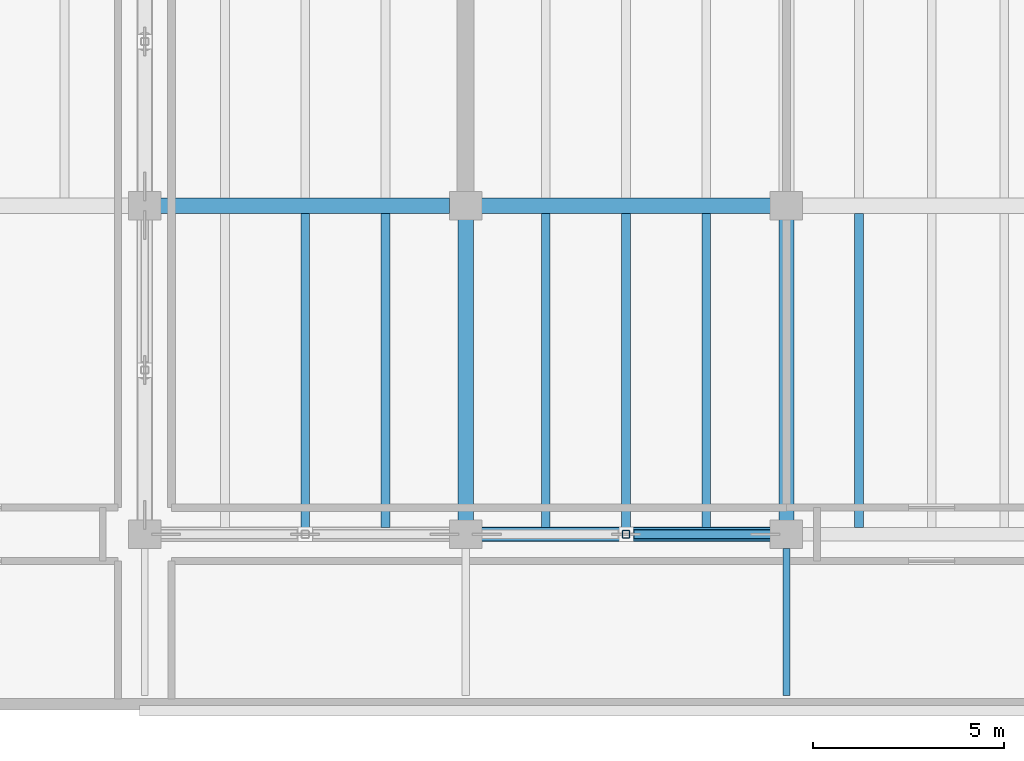
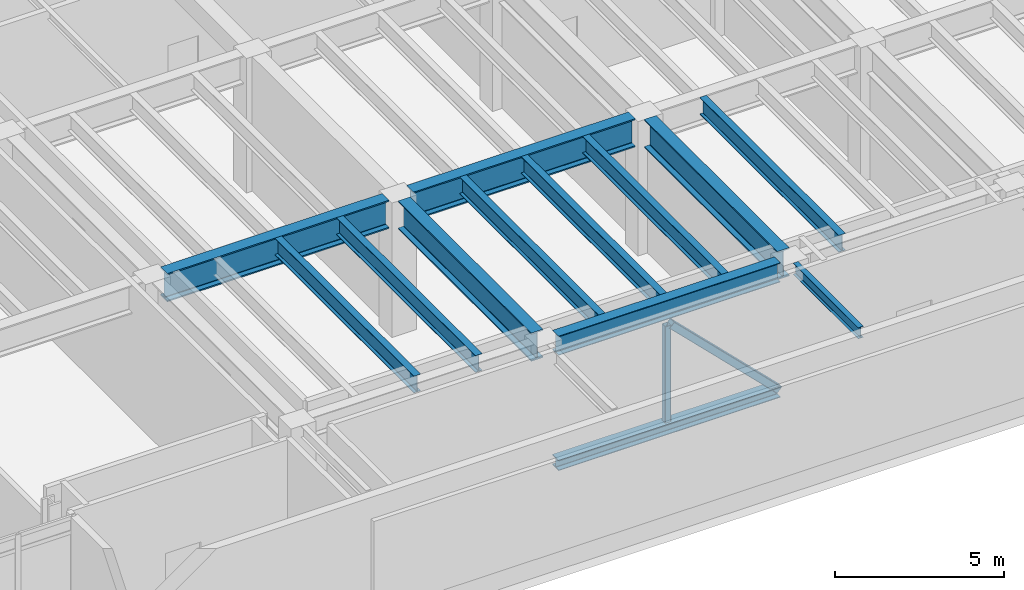
# One storey, part 3 of 23: 13 beams, 2 members.
"""IFC4 building model written with IfcOpenShell, lengths in metres."""

from ifc_helpers import new_model, si_unit, direction, frame, origin, origin_2d, place, context, subcontext, project, spatial, hollow_rectangle, i_section, extrude, material, material_profile, profile_set, type_object, element, save


model = new_model("IFC4")

# Units and contexts
model_context = context("Model", 3, precision=1e-05, world=origin(), true_north=direction((0.0, 1.0)))
body_context = subcontext(model_context, "Body", "Model", "MODEL_VIEW")
ifc_project = project(units=[si_unit("LENGTHUNIT", "METRE"), si_unit("AREAUNIT", "SQUARE_METRE"), si_unit("VOLUMEUNIT", "CUBIC_METRE"), si_unit("PLANEANGLEUNIT", "RADIAN"), si_unit("MASSUNIT", "GRAM", prefix="KILO")], contexts=[model_context])

# Site, building, storey
site_placement = place(None, origin())
site = spatial("IfcSite", under=ifc_project, at=site_placement, CompositionType="ELEMENT")
building_placement = place(site_placement, origin())
building = spatial("IfcBuilding", under=site, at=building_placement, Name="Caelmar Bay Residences", CompositionType="ELEMENT")
storey_placement = place(building_placement, frame((0.0, 0.0, 221.39990234375)))
storey = spatial("IfcBuildingStorey", under=building, at=storey_placement, Name="L62", CompositionType="ELEMENT", Elevation=221.39990234375)

# Beams
ifc_material_1 = material(Name="Steel ASTM A992 Grade 50", Category="steel")
ifc_material_profile_1 = material_profile(ifc_material_1, i_section(OverallWidth=0.177978515625, OverallDepth=0.406005859375, WebThickness=0.0078125, FlangeThickness=0.0126953125, FilletRadius=0.0087890625, at=origin_2d()), Name="W16X40")
ifc_profile_set_1 = profile_set([ifc_material_profile_1], Name="Steel ASTM A992 Grade 50")
beam_type_1 = type_object("IfcBeamType", Name="BM-BAL-W16X40", PredefinedType="JOIST", material=ifc_profile_set_1)
beam_1_placement = place(storey_placement, frame((35.10009765625, 11.8349609375, 4.63720703125), z_axis=(0.0, -1.0, 0.0), x_axis=(1.0, 0.0, 0.0)))
element("IfcBeam", 1, at=beam_1_placement, inside=storey, type_object=beam_type_1, Name="L63 South Balcony Cantilever Bracket 3", PredefinedType="JOIST", context=body_context, shape_type="SweptSolid", body=[
    extrude(i_section(OverallWidth=0.177978515625, OverallDepth=0.406005859375, WebThickness=0.0078125, FlangeThickness=0.0126953125, FilletRadius=0.0087890625, at=origin_2d()), origin(), (0.0, 0.0, 1.0), 3.849853515625),
])
ifc_material_profile_2 = material_profile(ifc_material_1, i_section(OverallWidth=0.373046875, OverallDepth=0.373046875, WebThickness=0.016357421875, FlangeThickness=0.026123046875, FilletRadius=0.01513671875, at=origin_2d()), Name="W14X132")
ifc_profile_set_2 = profile_set([ifc_material_profile_2], Name="Steel ASTM A992 Grade 50")
beam_type_2 = type_object("IfcBeamType", Name="BM-CHD-W14X132", PredefinedType="BEAM", material=ifc_profile_set_2)
beam_2_placement = place(storey_placement, frame((27.114990234375, 12.199951171875, 0.1865234375), z_axis=(1.0, 0.0, 0.0), x_axis=(0.0, 1.0, 0.0)))
element("IfcBeam", 2, at=beam_2_placement, inside=storey, type_object=beam_type_2, Name="L62 Belt-Truss Bottom Chord 2", PredefinedType="BEAM", context=body_context, shape_type="SweptSolid", body=[
    extrude(i_section(OverallWidth=0.373046875, OverallDepth=0.373046875, WebThickness=0.016357421875, FlangeThickness=0.026123046875, FilletRadius=0.01513671875, at=origin_2d()), origin(), (0.0, 0.0, 1.0), 7.570068359375),
])
ifc_material_profile_3 = material_profile(ifc_material_1, i_section(OverallWidth=0.404052734375, OverallDepth=1.02099609375, WebThickness=0.025390625, FlangeThickness=0.0458984375, FilletRadius=0.02294921875, at=origin_2d()), Name="W40X324")
ifc_profile_set_3 = profile_set([ifc_material_profile_3], Name="Steel ASTM A992 Grade 50")
beam_type_3 = type_object("IfcBeamType", Name="BM-GRD-W40X324", PredefinedType="BEAM", material=ifc_profile_set_3)
beam_3_placement = place(storey_placement, frame((18.715087890625, 20.800048828125, 4.339599609375), z_axis=(1.0, 0.0, 0.0), x_axis=(0.0, 1.0, 0.0)))
element("IfcBeam", 3, at=beam_3_placement, inside=storey, type_object=beam_type_3, Name="L62 East-West Girder Y=20.80 (18.3-26.7)", PredefinedType="BEAM", context=body_context, shape_type="SweptSolid", body=[
    extrude(i_section(OverallWidth=0.404052734375, OverallDepth=1.02099609375, WebThickness=0.025390625, FlangeThickness=0.0458984375, FilletRadius=0.02294921875, at=origin_2d()), origin(), (0.0, 0.0, 1.0), 7.56982421875),
])
beam_4_placement = place(storey_placement, frame((27.114990234375, 20.800048828125, 4.339599609375), z_axis=(1.0, 0.0, 0.0), x_axis=(0.0, 1.0, 0.0)))
element("IfcBeam", 4, at=beam_4_placement, inside=storey, type_object=beam_type_3, Name="L62 East-West Girder Y=20.80 (26.7-35.1)", PredefinedType="BEAM", context=body_context, shape_type="SweptSolid", body=[
    extrude(i_section(OverallWidth=0.404052734375, OverallDepth=1.02099609375, WebThickness=0.025390625, FlangeThickness=0.0458984375, FilletRadius=0.02294921875, at=origin_2d()), origin(), (0.0, 0.0, 1.0), 7.570068359375),
])
for number, where, z_axis, x_axis, name in (
    (5, (26.699951171875, 12.56494140625, 4.339599609375), (0.0, 1.0, 0.0), (-1.0, 0.0, 0.0), "L62 North-South Girder X=26.70 (12.2-20.8)"),
    (6, (35.10009765625, 12.56494140625, 4.339599609375), (0.0, 1.0, 0.0), (-1.0, 0.0, 0.0), "L62 North-South Girder X=35.10 (12.2-20.8)"),
):
    element("IfcBeam", number, at=place(storey_placement, frame(where, z_axis=z_axis, x_axis=x_axis)), inside=storey, type_object=beam_type_3, Name=name, PredefinedType="BEAM", context=body_context, shape_type="SweptSolid", body=[
        extrude(i_section(OverallWidth=0.404052734375, OverallDepth=1.02099609375, WebThickness=0.025390625, FlangeThickness=0.0458984375, FilletRadius=0.02294921875, at=origin_2d()), origin(), (0.0, 0.0, 1.0), 7.8701171875),
    ])
ifc_material_profile_4 = material_profile(ifc_material_1, i_section(OverallWidth=0.22900390625, OverallDepth=0.612060546875, WebThickness=0.011962890625, FlangeThickness=0.01953125, FilletRadius=0.0126953125, at=origin_2d()), Name="W24X84")
ifc_profile_set_4 = profile_set([ifc_material_profile_4], Name="Steel ASTM A992 Grade 50")
beam_type_4 = type_object("IfcBeamType", Name="BM-JST-W24X84", PredefinedType="JOIST", material=ifc_profile_set_4)
for number, where, z_axis, x_axis, name in (
    (7, (22.5, 12.3779296875, 4.544189453125), (0.0, 1.0, 0.0), (-1.0, 0.0, 0.0), "L62 Composite Floor Joist 2"),
    (8, (24.60009765625, 12.3779296875, 4.544189453125), (0.0, 1.0, 0.0), (-1.0, 0.0, 0.0), "L62 Composite Floor Joist 3"),
    (9, (28.800048828125, 12.3779296875, 4.544189453125), (0.0, 1.0, 0.0), (-1.0, 0.0, 0.0), "L62 Composite Floor Joist 4"),
    (10, (30.89990234375, 12.3779296875, 4.544189453125), (0.0, 1.0, 0.0), (-1.0, 0.0, 0.0), "L62 Composite Floor Joist 5"),
    (11, (33.0, 12.3779296875, 4.544189453125), (0.0, 1.0, 0.0), (-1.0, 0.0, 0.0), "L62 Composite Floor Joist 6"),
    (12, (37.0, 12.3779296875, 4.544189453125), (0.0, 1.0, 0.0), (-1.0, 0.0, 0.0), "L62 Composite Floor Joist 7"),
):
    element("IfcBeam", number, at=place(storey_placement, frame(where, z_axis=z_axis, x_axis=x_axis)), inside=storey, type_object=beam_type_4, Name=name, PredefinedType="JOIST", context=body_context, shape_type="SweptSolid", body=[
        extrude(i_section(OverallWidth=0.22900390625, OverallDepth=0.612060546875, WebThickness=0.011962890625, FlangeThickness=0.01953125, FilletRadius=0.0126953125, at=origin_2d()), origin(), (0.0, 0.0, 1.0), 8.219970703125),
    ])
ifc_material_profile_5 = material_profile(ifc_material_1, i_section(OverallWidth=0.35595703125, OverallDepth=0.696044921875, WebThickness=0.015380859375, FlangeThickness=0.02490234375, FilletRadius=0.01513671875, at=origin_2d()), Name="W27X146")
ifc_profile_set_5 = profile_set([ifc_material_profile_5], Name="Steel ASTM A992 Grade 50")
beam_type_5 = type_object("IfcBeamType", Name="BM-SPN-W27X146", PredefinedType="SPANDREL", material=ifc_profile_set_5)
beam_5_placement = place(storey_placement, frame((27.114990234375, 12.199951171875, 4.502197265625), z_axis=(1.0, 0.0, 0.0), x_axis=(0.0, 1.0, 0.0)))
element("IfcBeam", 13, at=beam_5_placement, inside=storey, type_object=beam_type_5, Name="L62 East-West Girder Y=12.20 (26.7-35.1)", PredefinedType="SPANDREL", context=body_context, shape_type="SweptSolid", body=[
    extrude(i_section(OverallWidth=0.35595703125, OverallDepth=0.696044921875, WebThickness=0.015380859375, FlangeThickness=0.02490234375, FilletRadius=0.01513671875, at=origin_2d()), origin(), (0.0, 0.0, 1.0), 7.570068359375),
])

# Members
ifc_material_2 = material(Name="Steel ASTM A500 Grade C", Category="steel")
ifc_material_profile_6 = material_profile(ifc_material_2, hollow_rectangle(XDim=0.25390625, YDim=0.25390625, WallThickness=0.014892578125, InnerFilletRadius=0.014892578125, OuterFilletRadius=0.029541015625, at=origin_2d()), Name="HSS250X250X15.9")
ifc_profile_set_6 = profile_set([ifc_material_profile_6], Name="Steel ASTM A500 Grade C")
member_type_1 = type_object("IfcMemberType", Name="MEM-BRC-HSS250", PredefinedType="BRACE", material=ifc_profile_set_6)
member_1_placement = place(storey_placement, frame((34.68505859375, 12.199951171875, 0.22021484375), z_axis=(-0.711098102915, 0.0, 0.703092801863), x_axis=(0.0, -1.0, 0.0)))
element("IfcMember", 14, at=member_1_placement, inside=storey, type_object=member_type_1, Name="L62 Belt-Truss Chevron 2B", PredefinedType="BRACE", context=body_context, shape_type="SweptSolid", body=[
    extrude(hollow_rectangle(XDim=0.25390625, YDim=0.25390625, WallThickness=0.014892578125, InnerFilletRadius=0.014892578125, OuterFilletRadius=0.029541015625, at=origin_2d()), origin(), (0.0, 0.0, 1.0), 5.154052734375),
])
ifc_material_profile_7 = material_profile(ifc_material_2, hollow_rectangle(XDim=0.202880859375, YDim=0.202880859375, WallThickness=0.01171875, InnerFilletRadius=0.01171875, OuterFilletRadius=0.023681640625, at=origin_2d()), Name="HSS200X200X12.7")
ifc_profile_set_7 = profile_set([ifc_material_profile_7], Name="Steel ASTM A500 Grade C")
member_type_2 = type_object("IfcMemberType", Name="MEM-PST-HSS200", PredefinedType="POST", material=ifc_profile_set_7)
member_2_placement = place(storey_placement, frame((30.89990234375, 12.199951171875, 0.373046875), z_axis=(0.0, 0.0, 1.0), x_axis=(1.0, 0.0, 0.0)))
element("IfcMember", 15, at=member_2_placement, inside=storey, type_object=member_type_2, Name="L62 Belt-Truss Vertical Post 2", PredefinedType="POST", context=body_context, shape_type="SweptSolid", body=[
    extrude(hollow_rectangle(XDim=0.202880859375, YDim=0.202880859375, WallThickness=0.01171875, InnerFilletRadius=0.01171875, OuterFilletRadius=0.023681640625, at=origin_2d()), origin(), (0.0, 0.0, 1.0), 3.470947265625),
])

save(model, "model.ifc")
